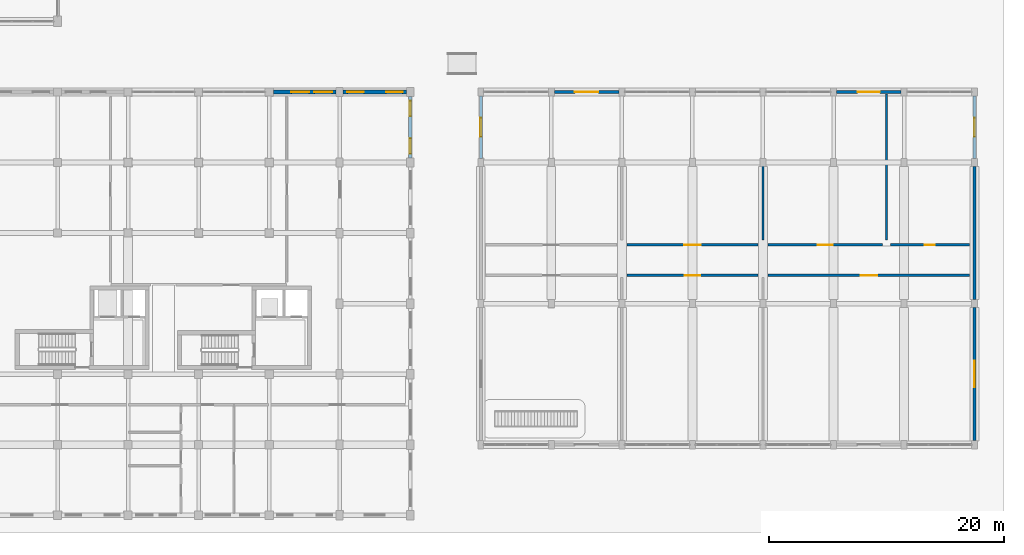
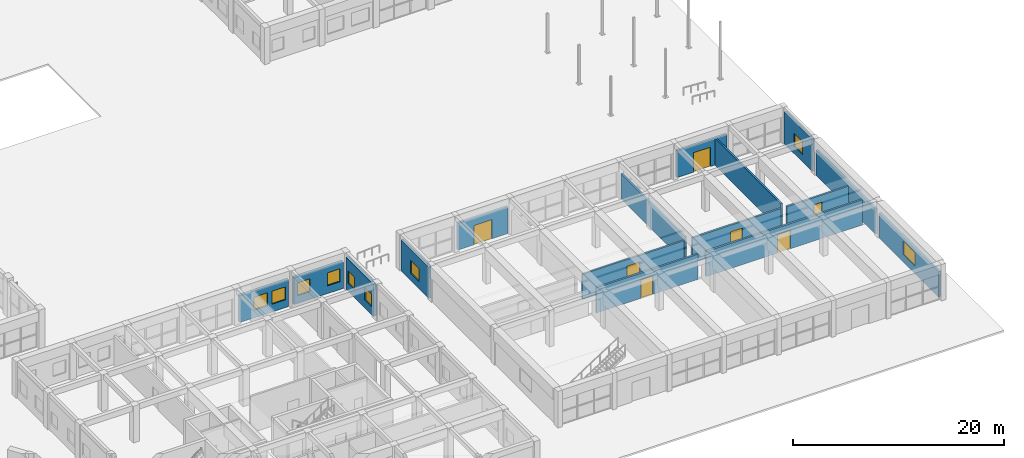
# One storey, part 60 of 76: 16 walls, 9 windows, 7 doors, 16 openings.
"""IFC4 building model written with IfcOpenShell, lengths in metres."""

from ifc_helpers import new_model, si_unit, direction, frame, frame_2d, origin, place, context, subcontext, project, spatial, rectangle, extrude, material, layer, layer_set, type_object, element, fill, save


model = new_model("IFC4")

# Units and contexts
model_context = context("Model", 3, precision=1e-05, world=origin(), true_north=direction((0.0, 1.0)))
body_context = subcontext(model_context, "Body", "Model", "MODEL_VIEW")
ifc_project = project(units=[si_unit("LENGTHUNIT", "METRE"), si_unit("AREAUNIT", "SQUARE_METRE"), si_unit("VOLUMEUNIT", "CUBIC_METRE"), si_unit("PLANEANGLEUNIT", "RADIAN"), si_unit("MASSUNIT", "GRAM", prefix="KILO"), si_unit("POWERUNIT", "WATT"), si_unit("THERMODYNAMICTEMPERATUREUNIT", "KELVIN")], contexts=[model_context])

# Site, building, storey
site_placement = place(None, origin())
site = spatial("IfcSite", under=ifc_project, at=site_placement, CompositionType="ELEMENT")
building_placement = place(site_placement, origin())
building = spatial("IfcBuilding", under=site, at=building_placement, Name="Ruvembo Vaulted Housing Court", CompositionType="ELEMENT")
storey_placement = place(building_placement, origin())
storey = spatial("IfcBuildingStorey", under=building, at=storey_placement, Name="L00", CompositionType="ELEMENT", Elevation=0.0)

# Wall, opening, door
ifc_material_1 = material(Name="Concrete Blockwork 200", Category="masonry")
ifc_layer_1 = layer(ifc_material_1, 0.199951171875, Name="Concrete Blockwork 200")
ifc_layer_set_1 = layer_set([ifc_layer_1], Name="Concrete Blockwork 200")
wall_type_1 = type_object("IfcWallType", Name="WL-CORR-200", PredefinedType="SOLIDWALL", material=ifc_layer_set_1)
wall_1_placement = place(storey_placement, frame((156.43994140625, 20.39990234375, 0.0), z_axis=(0.0, 0.0, 1.0), x_axis=(1.0, 0.0, 0.0)))
wall_1 = element("IfcWall", 1, at=wall_1_placement, inside=storey, type_object=wall_type_1, Name="L00 Neighbourhood Pharmacy & Repair WL-INT-L00-00079", PredefinedType="SOLIDWALL", context=body_context, shape_type="SweptSolid", body=[
    extrude(rectangle(XDim=11.1201171875, YDim=0.199951171875, at=frame_2d((5.56005859375, 0.0))), origin(), (0.0, 0.0, 1.0), 2.912109375),
])
opening_1_placement = place(wall_1_placement, frame((4.909912109375, 0.0, 0.0)))
opening_1 = element("IfcOpeningElement", 2, at=opening_1_placement, cuts=wall_1, Name="Opening CD2", PredefinedType="OPENING", context=body_context, shape_type="SweptSolid", body=[
    extrude(rectangle(XDim=1.300048828125, YDim=2.14990234375, at=frame_2d((0.64990234375, 1.074951171875))), frame((0.0, 0.10986328125, 0.0), z_axis=(0.0, -1.0, 0.0), x_axis=(1.0, 0.0, 0.0)), (0.0, 0.0, 1.0), 0.219970703125),
])
ifc_material_2 = material(Name="FSC Hardwood and Engineered Timber", Category="wood")
door_type_1 = type_object("IfcDoorType", Name="DR-CIVIC-1300x2150", OperationType="NOTDEFINED", PredefinedType="DOOR", material=ifc_material_2)
door_1_placement = place(opening_1_placement, origin())
door_1 = element("IfcDoor", 3, at=door_1_placement, inside=storey, type_object=door_type_1, Name="L00 Neighbourhood Pharmacy & Repair Door DR-INT-L00-00029", OperationType="SINGLE_SWING_LEFT", OverallHeight=2.14990234375, OverallWidth=1.300048828125, PredefinedType="DOOR", context=body_context, shape_type="SweptSolid", body=[
    extrude(rectangle(XDim=1.300048828125, YDim=2.14990234375, at=frame_2d((0.64990234375, 1.074951171875))), frame((0.0, 0.02490234375, 0.0), z_axis=(0.0, -1.0, 0.0), x_axis=(1.0, 0.0, 0.0)), (0.0, 0.0, 1.0), 0.050048828125),
])
fill(opening_1, door_1)

wall_2_placement = place(storey_placement, frame((168.43994140625, 20.39990234375, 0.0), z_axis=(0.0, 0.0, 1.0), x_axis=(1.0, 0.0, 0.0)))
wall_2 = element("IfcWall", 4, at=wall_2_placement, inside=storey, type_object=wall_type_1, Name="L00 Corner Cafe and Bakery Dining WL-INT-L00-00081", PredefinedType="SOLIDWALL", context=body_context, shape_type="SweptSolid", body=[
    extrude(rectangle(XDim=17.1201171875, YDim=0.199951171875, at=frame_2d((8.56005859375, 0.0))), origin(), (0.0, 0.0, 1.0), 2.912109375),
])
opening_2_placement = place(wall_2_placement, frame((7.860107421875, 0.0, 0.0)))
opening_2 = element("IfcOpeningElement", 5, at=opening_2_placement, cuts=wall_2, Name="Opening CD1", PredefinedType="OPENING", context=body_context, shape_type="SweptSolid", body=[
    extrude(rectangle(XDim=1.39990234375, YDim=2.14990234375, at=frame_2d((0.699951171875, 1.074951171875))), frame((0.0, 0.10986328125, 0.0), z_axis=(0.0, -1.0, 0.0), x_axis=(1.0, 0.0, 0.0)), (0.0, 0.0, 1.0), 0.219970703125),
])
door_type_2 = type_object("IfcDoorType", Name="DR-CIVIC-1400x2150", OperationType="NOTDEFINED", PredefinedType="DOOR", material=ifc_material_2)
door_2_placement = place(opening_2_placement, origin())
door_2 = element("IfcDoor", 6, at=door_2_placement, inside=storey, type_object=door_type_2, Name="L00 Corner Cafe and Bakery Dining Door DR-INT-L00-00030", OperationType="SINGLE_SWING_RIGHT", OverallHeight=2.14990234375, OverallWidth=1.39990234375, PredefinedType="DOOR", context=body_context, shape_type="SweptSolid", body=[
    extrude(rectangle(XDim=1.39990234375, YDim=2.14990234375, at=frame_2d((0.699951171875, 1.074951171875))), frame((0.0, 0.02490234375, 0.0), z_axis=(0.0, -1.0, 0.0), x_axis=(1.0, 0.0, 0.0)), (0.0, 0.0, 1.0), 0.050048828125),
])
fill(opening_2, door_2)

wall_3_placement = place(storey_placement, frame((156.43994140625, 23.0, 0.0), z_axis=(0.0, 0.0, 1.0), x_axis=(1.0, 0.0, 0.0)))
wall_3 = element("IfcWall", 7, at=wall_3_placement, inside=storey, type_object=wall_type_1, Name="L00 Cooperative Dry-Goods & Postal Hub WL-INT-L00-00084", PredefinedType="SOLIDWALL", context=body_context, shape_type="SweptSolid", body=[
    extrude(rectangle(XDim=11.1201171875, YDim=0.199951171875, at=frame_2d((5.56005859375, 0.0))), origin(), (0.0, 0.0, 1.0), 2.912109375),
])
opening_3_placement = place(wall_3_placement, frame((4.860107421875, 0.0, 0.0)))
opening_3 = element("IfcOpeningElement", 8, at=opening_3_placement, cuts=wall_3, Name="Opening CD1", PredefinedType="OPENING", context=body_context, shape_type="SweptSolid", body=[
    extrude(rectangle(XDim=1.39990234375, YDim=2.14990234375, at=frame_2d((0.699951171875, 1.074951171875))), frame((0.0, 0.10986328125, 0.0), z_axis=(0.0, -1.0, 0.0), x_axis=(1.0, 0.0, 0.0)), (0.0, 0.0, 1.0), 0.219970703125),
])
door_3_placement = place(opening_3_placement, origin())
door_3 = element("IfcDoor", 9, at=door_3_placement, inside=storey, type_object=door_type_2, Name="L00 Cooperative Dry-Goods & Postal Hub Door DR-INT-L00-00032", OperationType="SINGLE_SWING_RIGHT", OverallHeight=2.14990234375, OverallWidth=1.39990234375, PredefinedType="DOOR", context=body_context, shape_type="SweptSolid", body=[
    extrude(rectangle(XDim=1.39990234375, YDim=2.14990234375, at=frame_2d((0.699951171875, 1.074951171875))), frame((0.0, 0.02490234375, 0.0), z_axis=(0.0, -1.0, 0.0), x_axis=(1.0, 0.0, 0.0)), (0.0, 0.0, 1.0), 0.050048828125),
])
fill(opening_3, door_3)

# Wall
wall_4_placement = place(storey_placement, frame((168.0, 23.389892578125, 0.0), z_axis=(0.0, 0.0, 1.0), x_axis=(0.0, 1.0, 0.0)))
element("IfcWall", 10, at=wall_4_placement, inside=storey, type_object=wall_type_1, Name="L00 Cooperative Dry-Goods & Postal Hub Div WL-INT-L00-00085", PredefinedType="SOLIDWALL", context=body_context, shape_type="SweptSolid", body=[
    extrude(rectangle(XDim=12.10009765625, YDim=0.199951171875, at=frame_2d((6.050048828125, 0.0))), origin(), (0.0, 0.0, 1.0), 2.912109375),
])

# Wall, opening, door
wall_5_placement = place(storey_placement, frame((168.43994140625, 23.0, 0.0), z_axis=(0.0, 0.0, 1.0), x_axis=(1.0, 0.0, 0.0)))
wall_5 = element("IfcWall", 11, at=wall_5_placement, inside=storey, type_object=wall_type_1, Name="L00 Bakery Kitchen & Oven Room WL-INT-L00-00086", PredefinedType="SOLIDWALL", context=body_context, shape_type="SweptSolid", body=[
    extrude(rectangle(XDim=9.719970703125, YDim=0.199951171875, at=frame_2d((4.85986328125, 0.0))), origin(), (0.0, 0.0, 1.0), 2.912109375),
])
opening_4_placement = place(wall_5_placement, frame((4.2099609375, 0.0, 0.0)))
opening_4 = element("IfcOpeningElement", 12, at=opening_4_placement, cuts=wall_5, Name="Opening CD2", PredefinedType="OPENING", context=body_context, shape_type="SweptSolid", body=[
    extrude(rectangle(XDim=1.300048828125, YDim=2.14990234375, at=frame_2d((0.64990234375, 1.074951171875))), frame((0.0, 0.10986328125, 0.0), z_axis=(0.0, -1.0, 0.0), x_axis=(1.0, 0.0, 0.0)), (0.0, 0.0, 1.0), 0.219970703125),
])
door_4_placement = place(opening_4_placement, origin())
door_4 = element("IfcDoor", 13, at=door_4_placement, inside=storey, type_object=door_type_1, Name="L00 Bakery Kitchen & Oven Room Door DR-INT-L00-00033", OperationType="SINGLE_SWING_LEFT", OverallHeight=2.14990234375, OverallWidth=1.300048828125, PredefinedType="DOOR", context=body_context, shape_type="SweptSolid", body=[
    extrude(rectangle(XDim=1.300048828125, YDim=2.14990234375, at=frame_2d((0.64990234375, 1.074951171875))), frame((0.0, 0.02490234375, 0.0), z_axis=(0.0, -1.0, 0.0), x_axis=(1.0, 0.0, 0.0)), (0.0, 0.0, 1.0), 0.050048828125),
])
fill(opening_4, door_4)

# Wall
wall_6_placement = place(storey_placement, frame((178.5, 23.389892578125, 0.0), z_axis=(0.0, 0.0, 1.0), x_axis=(0.0, 1.0, 0.0)))
element("IfcWall", 14, at=wall_6_placement, inside=storey, type_object=wall_type_1, Name="L00 Bakery Kitchen & Oven Room Div WL-INT-L00-00087", PredefinedType="SOLIDWALL", context=body_context, shape_type="SweptSolid", body=[
    extrude(rectangle(XDim=12.420166015625, YDim=0.199951171875, at=frame_2d((6.2099609375, 0.0))), origin(), (0.0, 0.0, 1.0), 3.112060546875),
])

# Wall, opening, door
wall_7_placement = place(storey_placement, frame((178.840087890625, 23.0, 0.0), z_axis=(0.0, 0.0, 1.0), x_axis=(1.0, 0.0, 0.0)))
wall_7 = element("IfcWall", 15, at=wall_7_placement, inside=storey, type_object=wall_type_1, Name="L00 Cafe Accessible WC & Toilets WL-INT-L00-00088", PredefinedType="SOLIDWALL", context=body_context, shape_type="SweptSolid", body=[
    extrude(rectangle(XDim=6.719970703125, YDim=0.199951171875, at=frame_2d((3.35986328125, 0.0))), origin(), (0.0, 0.0, 1.0), 2.912109375),
])
opening_5_placement = place(wall_7_placement, frame((2.93505859375, 0.0, 0.0)))
opening_5 = element("IfcOpeningElement", 16, at=opening_5_placement, cuts=wall_7, Name="Opening ID2", PredefinedType="OPENING", context=body_context, shape_type="SweptSolid", body=[
    extrude(rectangle(XDim=0.85009765625, YDim=2.10009765625, at=frame_2d((0.425048828125, 1.050048828125))), frame((0.0, 0.10986328125, 0.0), z_axis=(0.0, -1.0, 0.0), x_axis=(1.0, 0.0, 0.0)), (0.0, 0.0, 1.0), 0.219970703125),
])
door_type_3 = type_object("IfcDoorType", Name="DR-WET-0850x2100", OperationType="NOTDEFINED", PredefinedType="DOOR", material=ifc_material_2)
door_5_placement = place(opening_5_placement, origin())
door_5 = element("IfcDoor", 17, at=door_5_placement, inside=storey, type_object=door_type_3, Name="L00 Cafe Accessible WC & Toilets Door DR-INT-L00-00034", OperationType="SINGLE_SWING_RIGHT", OverallHeight=2.10009765625, OverallWidth=0.85009765625, PredefinedType="DOOR", context=body_context, shape_type="SweptSolid", body=[
    extrude(rectangle(XDim=0.85009765625, YDim=2.10009765625, at=frame_2d((0.425048828125, 1.050048828125))), frame((0.0, 0.02490234375, 0.0), z_axis=(0.0, -1.0, 0.0), x_axis=(1.0, 0.0, 0.0)), (0.0, 0.0, 1.0), 0.050048828125),
])
fill(opening_5, door_5)

ifc_material_3 = material(Name="Rendered Masonry 260", Category="masonry")
ifc_layer_2 = layer(ifc_material_3, 0.260009765625, Name="Rendered Masonry 260")
ifc_layer_set_2 = layer_set([ifc_layer_2], Name="Rendered Masonry 260")
wall_type_2 = type_object("IfcWallType", Name="WL-EXT-260", PredefinedType="STANDARD", material=ifc_layer_set_2)
wall_8_placement = place(storey_placement, frame((155.75, 36.0, 0.0), z_axis=(0.0, 0.0, 1.0), x_axis=(-1.0, 0.0, 0.0)))
wall_8 = element("IfcWall", 18, at=wall_8_placement, inside=storey, type_object=wall_type_2, Name="Shops Entrance Bay N2", PredefinedType="STANDARD", context=body_context, shape_type="SweptSolid", body=[
    extrude(rectangle(XDim=5.5, YDim=0.260009765625, at=frame_2d((2.75, 0.0))), origin(), (0.0, 0.0, 1.0), 3.112060546875),
])
opening_6_placement = place(wall_8_placement, frame((1.75, 0.0, 0.0)))
opening_6 = element("IfcOpeningElement", 19, at=opening_6_placement, cuts=wall_8, Name="Opening ED1", PredefinedType="OPENING", context=body_context, shape_type="SweptSolid", body=[
    extrude(rectangle(XDim=2.0, YDim=2.25, at=frame_2d((1.0, 1.125))), frame((0.0, 0.139892578125, 0.0), z_axis=(0.0, -1.0, 0.0), x_axis=(1.0, 0.0, 0.0)), (0.0, 0.0, 1.0), 0.280029296875),
])
ifc_material_4 = material(Name="Thermally Broken Glazed Aluminium", Category="aluminium")
door_type_4 = type_object("IfcDoorType", Name="DR-LOB-2000x2250", OperationType="NOTDEFINED", PredefinedType="DOOR", material=ifc_material_4)
door_6_placement = place(opening_6_placement, frame((2.0, 0.0, 0.0), z_axis=(0.0, 0.0, 1.0), x_axis=(-1.0, 0.0, 0.0)))
door_6 = element("IfcDoor", 20, at=door_6_placement, inside=storey, type_object=door_type_4, Name="Shops Street Entrance N2", OperationType="DOUBLE_DOOR_SINGLE_SWING", OverallHeight=2.25, OverallWidth=2.0, PredefinedType="DOOR", context=body_context, shape_type="SweptSolid", body=[
    extrude(rectangle(XDim=2.0, YDim=2.25, at=frame_2d((1.0, 1.125))), frame((0.0, 0.02490234375, 0.0), z_axis=(0.0, -1.0, 0.0), x_axis=(1.0, 0.0, 0.0)), (0.0, 0.0, 1.0), 0.050048828125),
])
fill(opening_6, door_6)

wall_9_placement = place(storey_placement, frame((179.75, 36.0, 0.0), z_axis=(0.0, 0.0, 1.0), x_axis=(-1.0, 0.0, 0.0)))
wall_9 = element("IfcWall", 21, at=wall_9_placement, inside=storey, type_object=wall_type_2, Name="Shops Entrance Bay N6", PredefinedType="STANDARD", context=body_context, shape_type="SweptSolid", body=[
    extrude(rectangle(XDim=5.5, YDim=0.260009765625, at=frame_2d((2.75, 0.0))), origin(), (0.0, 0.0, 1.0), 3.112060546875),
])
opening_7_placement = place(wall_9_placement, frame((1.800048828125, 0.0, 0.0)))
opening_7 = element("IfcOpeningElement", 22, at=opening_7_placement, cuts=wall_9, Name="Opening ED2", PredefinedType="OPENING", context=body_context, shape_type="SweptSolid", body=[
    extrude(rectangle(XDim=1.89990234375, YDim=2.25, at=frame_2d((0.949951171875, 1.125))), frame((0.0, 0.139892578125, 0.0), z_axis=(0.0, -1.0, 0.0), x_axis=(1.0, 0.0, 0.0)), (0.0, 0.0, 1.0), 0.280029296875),
])
door_type_5 = type_object("IfcDoorType", Name="DR-LOB-1900x2250", OperationType="NOTDEFINED", PredefinedType="DOOR", material=ifc_material_4)
door_7_placement = place(opening_7_placement, frame((1.89990234375, 0.0, 0.0), z_axis=(0.0, 0.0, 1.0), x_axis=(-1.0, 0.0, 0.0)))
door_7 = element("IfcDoor", 23, at=door_7_placement, inside=storey, type_object=door_type_5, Name="Shops Street Entrance N6", OperationType="DOUBLE_DOOR_SINGLE_SWING", OverallHeight=2.25, OverallWidth=1.89990234375, PredefinedType="DOOR", context=body_context, shape_type="SweptSolid", body=[
    extrude(rectangle(XDim=1.89990234375, YDim=2.25, at=frame_2d((0.949951171875, 1.125))), frame((0.0, 0.02490234375, 0.0), z_axis=(0.0, -1.0, 0.0), x_axis=(1.0, 0.0, 0.0)), (0.0, 0.0, 1.0), 0.050048828125),
])
fill(opening_7, door_7)

# Wall, opening, window
wall_10_placement = place(storey_placement, frame((186.0, 6.35009765625, 0.0), z_axis=(0.0, 0.0, 1.0), x_axis=(0.0, 1.0, 0.0)))
wall_10 = element("IfcWall", 24, at=wall_10_placement, inside=storey, type_object=wall_type_2, Name="Shops E Facade Wall L00 Bay 1", PredefinedType="STANDARD", context=body_context, shape_type="SweptSolid", body=[
    extrude(rectangle(XDim=11.2998046875, YDim=0.260009765625, at=frame_2d((5.64990234375, 0.0))), origin(), (0.0, 0.0, 1.0), 2.912109375),
])
opening_8_placement = place(wall_10_placement, frame((4.52490234375, 0.0, 0.85009765625)))
opening_8 = element("IfcOpeningElement", 25, at=opening_8_placement, cuts=wall_10, Name="Opening W27", PredefinedType="OPENING", context=body_context, shape_type="SweptSolid", body=[
    extrude(rectangle(XDim=2.25, YDim=1.60009765625, at=frame_2d((1.125, 0.800048828125))), frame((0.0, 0.139892578125, 0.0), z_axis=(0.0, -1.0, 0.0), x_axis=(1.0, 0.0, 0.0)), (0.0, 0.0, 1.0), 0.280029296875),
])
ifc_material_5 = material(Name="Double Solar-Control Glazing in Aluminium Frame", Category="aluminium")
window_type_1 = type_object("IfcWindowType", Name="WIN-2250x1600", PartitioningType="SINGLE_PANEL", PredefinedType="WINDOW", material=ifc_material_5)
window_1_placement = place(opening_8_placement, origin())
window_1 = element("IfcWindow", 26, at=window_1_placement, inside=storey, type_object=window_type_1, Name="Shops E Window L00 #1", OverallHeight=1.60009765625, OverallWidth=2.25, PartitioningType="SINGLE_PANEL", PredefinedType="WINDOW", context=body_context, shape_type="SweptSolid", body=[
    extrude(rectangle(XDim=2.25, YDim=1.60009765625, at=frame_2d((1.125, 0.800048828125))), frame((0.0, 0.030029296875, 0.0), z_axis=(0.0, -1.0, 0.0), x_axis=(1.0, 0.0, 0.0)), (0.0, 0.0, 1.0), 0.06005859375),
])
fill(opening_8, window_1)

# Wall
wall_11_placement = place(storey_placement, frame((186.0, 18.35009765625, 0.0), z_axis=(0.0, 0.0, 1.0), x_axis=(0.0, 1.0, 0.0)))
element("IfcWall", 27, at=wall_11_placement, inside=storey, type_object=wall_type_2, Name="Shops E Facade Wall L00 Bay 2", PredefinedType="STANDARD", context=body_context, shape_type="SweptSolid", body=[
    extrude(rectangle(XDim=11.2998046875, YDim=0.260009765625, at=frame_2d((5.64990234375, 0.0))), origin(), (0.0, 0.0, 1.0), 2.912109375),
])

# Wall, opening, window
wall_12_placement = place(storey_placement, frame((144.0, 35.64990234375, 0.0), z_axis=(0.0, 0.0, 1.0), x_axis=(0.0, -1.0, 0.0)))
wall_12 = element("IfcWall", 28, at=wall_12_placement, inside=storey, type_object=wall_type_2, Name="Shops W Facade Wall L00 Bay 3", PredefinedType="STANDARD", context=body_context, shape_type="SweptSolid", body=[
    extrude(rectangle(XDim=5.2998046875, YDim=0.260009765625, at=frame_2d((2.64990234375, 0.0))), origin(), (0.0, 0.0, 1.0), 3.612060546875),
])
opening_9_placement = place(wall_12_placement, frame((1.85009765625, 0.0, 0.85009765625)))
opening_9 = element("IfcOpeningElement", 29, at=opening_9_placement, cuts=wall_12, Name="Opening W20", PredefinedType="OPENING", context=body_context, shape_type="SweptSolid", body=[
    extrude(rectangle(XDim=1.60009765625, YDim=1.5, at=frame_2d((0.800048828125, 0.75))), frame((0.0, 0.139892578125, 0.0), z_axis=(0.0, -1.0, 0.0), x_axis=(1.0, 0.0, 0.0)), (0.0, 0.0, 1.0), 0.280029296875),
])
window_type_2 = type_object("IfcWindowType", Name="WIN-1600x1500", PartitioningType="SINGLE_PANEL", PredefinedType="WINDOW", material=ifc_material_5)
window_2_placement = place(opening_9_placement, origin())
window_2 = element("IfcWindow", 30, at=window_2_placement, inside=storey, type_object=window_type_2, Name="Shops W Window L00 #3", OverallHeight=1.5, OverallWidth=1.60009765625, PartitioningType="SINGLE_PANEL", PredefinedType="WINDOW", context=body_context, shape_type="SweptSolid", body=[
    extrude(rectangle(XDim=1.60009765625, YDim=1.5, at=frame_2d((0.800048828125, 0.75))), frame((0.0, 0.030029296875, 0.0), z_axis=(0.0, -1.0, 0.0), x_axis=(1.0, 0.0, 0.0)), (0.0, 0.0, 1.0), 0.06005859375),
])
fill(opening_9, window_2)

wall_13_placement = place(storey_placement, frame((186.0, 30.35009765625, 0.0), z_axis=(0.0, 0.0, 1.0), x_axis=(0.0, 1.0, 0.0)))
wall_13 = element("IfcWall", 31, at=wall_13_placement, inside=storey, type_object=wall_type_2, Name="Shops E Facade Wall L00 Bay 3", PredefinedType="STANDARD", context=body_context, shape_type="SweptSolid", body=[
    extrude(rectangle(XDim=5.2998046875, YDim=0.260009765625, at=frame_2d((2.64990234375, 0.0))), origin(), (0.0, 0.0, 1.0), 3.7119140625),
])
opening_10_placement = place(wall_13_placement, frame((1.85009765625, 0.0, 0.85009765625)))
opening_10 = element("IfcOpeningElement", 32, at=opening_10_placement, cuts=wall_13, Name="Opening W20", PredefinedType="OPENING", context=body_context, shape_type="SweptSolid", body=[
    extrude(rectangle(XDim=1.60009765625, YDim=1.5, at=frame_2d((0.800048828125, 0.75))), frame((0.0, 0.139892578125, 0.0), z_axis=(0.0, -1.0, 0.0), x_axis=(1.0, 0.0, 0.0)), (0.0, 0.0, 1.0), 0.280029296875),
])
window_3_placement = place(opening_10_placement, origin())
window_3 = element("IfcWindow", 33, at=window_3_placement, inside=storey, type_object=window_type_2, Name="Shops E Window L00 #3", OverallHeight=1.5, OverallWidth=1.60009765625, PartitioningType="SINGLE_PANEL", PredefinedType="WINDOW", context=body_context, shape_type="SweptSolid", body=[
    extrude(rectangle(XDim=1.60009765625, YDim=1.5, at=frame_2d((0.800048828125, 0.75))), frame((0.0, 0.030029296875, 0.0), z_axis=(0.0, -1.0, 0.0), x_axis=(1.0, 0.0, 0.0)), (0.0, 0.0, 1.0), 0.06005859375),
])
fill(opening_10, window_3)

# Wall, openings, windows
ifc_material_6 = material(Name="Rendered Masonry 320", Category="masonry")
ifc_layer_3 = layer(ifc_material_6, 0.320068359375, Name="Rendered Masonry 320")
ifc_layer_set_3 = layer_set([ifc_layer_3], Name="Rendered Masonry 320")
wall_type_3 = type_object("IfcWallType", Name="WL-EXT-320", PredefinedType="STANDARD", material=ifc_layer_set_3)
wall_14_placement = place(storey_placement, frame((138.0, 30.39990234375, 0.0), z_axis=(0.0, 0.0, 1.0), x_axis=(0.0, 1.0, 0.0)))
wall_14 = element("IfcWall", 34, at=wall_14_placement, inside=storey, type_object=wall_type_3, Name="Block C L00 Exterior Wall EAST #6", PredefinedType="STANDARD", context=body_context, shape_type="SweptSolid", body=[
    extrude(rectangle(XDim=5.2001953125, YDim=0.320068359375, at=frame_2d((2.60009765625, 0.0))), origin(), (0.0, 0.0, 1.0), 3.7119140625),
])
opening_11_placement = place(wall_14_placement, frame((0.35009765625, 0.0, 0.89990234375)))
opening_11 = element("IfcOpeningElement", 35, at=opening_11_placement, cuts=wall_14, Name="Opening W15", PredefinedType="OPENING", context=body_context, shape_type="SweptSolid", body=[
    extrude(rectangle(XDim=1.300048828125, YDim=1.449951171875, at=frame_2d((0.64990234375, 0.72509765625))), frame((0.0, 0.169921875, 0.0), z_axis=(0.0, -1.0, 0.0), x_axis=(1.0, 0.0, 0.0)), (0.0, 0.0, 1.0), 0.340087890625),
])
opening_12_placement = place(wall_14_placement, frame((3.550048828125, 0.0, 0.89990234375)))
opening_12 = element("IfcOpeningElement", 36, at=opening_12_placement, cuts=wall_14, Name="Opening W15", PredefinedType="OPENING", context=body_context, shape_type="SweptSolid", body=[
    extrude(rectangle(XDim=1.300048828125, YDim=1.449951171875, at=frame_2d((0.64990234375, 0.72509765625))), frame((0.0, 0.169921875, 0.0), z_axis=(0.0, -1.0, 0.0), x_axis=(1.0, 0.0, 0.0)), (0.0, 0.0, 1.0), 0.340087890625),
])
window_type_3 = type_object("IfcWindowType", Name="WIN-1300x1450", PartitioningType="SINGLE_PANEL", PredefinedType="WINDOW", material=ifc_material_5)
window_4_placement = place(opening_11_placement, origin())
window_4 = element("IfcWindow", 37, at=window_4_placement, inside=storey, type_object=window_type_3, Name="Block C L00 Window #1087", OverallHeight=1.449951171875, OverallWidth=1.300048828125, PartitioningType="SINGLE_PANEL", PredefinedType="WINDOW", context=body_context, shape_type="SweptSolid", body=[
    extrude(rectangle(XDim=1.300048828125, YDim=1.449951171875, at=frame_2d((0.64990234375, 0.72509765625))), frame((0.0, 0.030029296875, 0.0), z_axis=(0.0, -1.0, 0.0), x_axis=(1.0, 0.0, 0.0)), (0.0, 0.0, 1.0), 0.06005859375),
])
fill(opening_11, window_4)
window_5_placement = place(opening_12_placement, origin())
window_5 = element("IfcWindow", 38, at=window_5_placement, inside=storey, type_object=window_type_3, Name="Block C L00 Window #1088", OverallHeight=1.449951171875, OverallWidth=1.300048828125, PartitioningType="SINGLE_PANEL", PredefinedType="WINDOW", context=body_context, shape_type="SweptSolid", body=[
    extrude(rectangle(XDim=1.300048828125, YDim=1.449951171875, at=frame_2d((0.64990234375, 0.72509765625))), frame((0.0, 0.030029296875, 0.0), z_axis=(0.0, -1.0, 0.0), x_axis=(1.0, 0.0, 0.0)), (0.0, 0.0, 1.0), 0.06005859375),
])
fill(opening_12, window_5)

wall_15_placement = place(storey_placement, frame((137.699951171875, 36.0, 0.0), z_axis=(0.0, 0.0, 1.0), x_axis=(-1.0, 0.0, 0.0)))
wall_15 = element("IfcWall", 39, at=wall_15_placement, inside=storey, type_object=wall_type_3, Name="Block C L00 Exterior Wall COURTYARD #1", PredefinedType="STANDARD", context=body_context, shape_type="SweptSolid", body=[
    extrude(rectangle(XDim=5.39990234375, YDim=0.320068359375, at=frame_2d((2.699951171875, 0.0))), origin(), (0.0, 0.0, 1.0), 3.112060546875),
])
opening_13_placement = place(wall_15_placement, frame((0.35009765625, 0.0, 0.89990234375)))
opening_13 = element("IfcOpeningElement", 40, at=opening_13_placement, cuts=wall_15, Name="Opening W17", PredefinedType="OPENING", context=body_context, shape_type="SweptSolid", body=[
    extrude(rectangle(XDim=1.39990234375, YDim=1.5, at=frame_2d((0.699951171875, 0.75))), frame((0.0, 0.169921875, 0.0), z_axis=(0.0, -1.0, 0.0), x_axis=(1.0, 0.0, 0.0)), (0.0, 0.0, 1.0), 0.340087890625),
])
opening_14_placement = place(wall_15_placement, frame((3.64990234375, 0.0, 0.89990234375)))
opening_14 = element("IfcOpeningElement", 41, at=opening_14_placement, cuts=wall_15, Name="Opening W17", PredefinedType="OPENING", context=body_context, shape_type="SweptSolid", body=[
    extrude(rectangle(XDim=1.39990234375, YDim=1.5, at=frame_2d((0.699951171875, 0.75))), frame((0.0, 0.169921875, 0.0), z_axis=(0.0, -1.0, 0.0), x_axis=(1.0, 0.0, 0.0)), (0.0, 0.0, 1.0), 0.340087890625),
])
window_type_4 = type_object("IfcWindowType", Name="WIN-1400x1500", PartitioningType="SINGLE_PANEL", PredefinedType="WINDOW", material=ifc_material_5)
window_6_placement = place(opening_13_placement, origin())
window_6 = element("IfcWindow", 42, at=window_6_placement, inside=storey, type_object=window_type_4, Name="Block C L00 Window #1089", OverallHeight=1.5, OverallWidth=1.39990234375, PartitioningType="SINGLE_PANEL", PredefinedType="WINDOW", context=body_context, shape_type="SweptSolid", body=[
    extrude(rectangle(XDim=1.39990234375, YDim=1.5, at=frame_2d((0.699951171875, 0.75))), frame((0.0, 0.030029296875, 0.0), z_axis=(0.0, -1.0, 0.0), x_axis=(1.0, 0.0, 0.0)), (0.0, 0.0, 1.0), 0.06005859375),
])
fill(opening_13, window_6)
window_7_placement = place(opening_14_placement, origin())
window_7 = element("IfcWindow", 43, at=window_7_placement, inside=storey, type_object=window_type_4, Name="Block C L00 Window #1090", OverallHeight=1.5, OverallWidth=1.39990234375, PartitioningType="SINGLE_PANEL", PredefinedType="WINDOW", context=body_context, shape_type="SweptSolid", body=[
    extrude(rectangle(XDim=1.39990234375, YDim=1.5, at=frame_2d((0.699951171875, 0.75))), frame((0.0, 0.030029296875, 0.0), z_axis=(0.0, -1.0, 0.0), x_axis=(1.0, 0.0, 0.0)), (0.0, 0.0, 1.0), 0.06005859375),
])
fill(opening_14, window_7)

wall_16_placement = place(storey_placement, frame((131.699951171875, 36.0, 0.0), z_axis=(0.0, 0.0, 1.0), x_axis=(-1.0, 0.0, 0.0)))
wall_16 = element("IfcWall", 44, at=wall_16_placement, inside=storey, type_object=wall_type_3, Name="Block C L00 Exterior Wall COURTYARD #2", PredefinedType="STANDARD", context=body_context, shape_type="SweptSolid", body=[
    extrude(rectangle(XDim=5.349853515625, YDim=0.320068359375, at=frame_2d((2.6748046875, 0.0))), origin(), (0.0, 0.0, 1.0), 3.112060546875),
])
opening_15_placement = place(wall_16_placement, frame((0.35009765625, 0.0, 0.89990234375)))
opening_15 = element("IfcOpeningElement", 45, at=opening_15_placement, cuts=wall_16, Name="Opening W19", PredefinedType="OPENING", context=body_context, shape_type="SweptSolid", body=[
    extrude(rectangle(XDim=1.5, YDim=1.5, at=frame_2d((0.75, 0.75))), frame((0.0, 0.169921875, 0.0), z_axis=(0.0, -1.0, 0.0), x_axis=(1.0, 0.0, 0.0)), (0.0, 0.0, 1.0), 0.340087890625),
])
opening_16_placement = place(wall_16_placement, frame((2.31005859375, 0.0, 0.89990234375)))
opening_16 = element("IfcOpeningElement", 46, at=opening_16_placement, cuts=wall_16, Name="Opening W19", PredefinedType="OPENING", context=body_context, shape_type="SweptSolid", body=[
    extrude(rectangle(XDim=1.5, YDim=1.5, at=frame_2d((0.75, 0.75))), frame((0.0, 0.169921875, 0.0), z_axis=(0.0, -1.0, 0.0), x_axis=(1.0, 0.0, 0.0)), (0.0, 0.0, 1.0), 0.340087890625),
])
window_type_5 = type_object("IfcWindowType", Name="WIN-1500x1500", PartitioningType="SINGLE_PANEL", PredefinedType="WINDOW", material=ifc_material_5)
window_8_placement = place(opening_15_placement, origin())
window_8 = element("IfcWindow", 47, at=window_8_placement, inside=storey, type_object=window_type_5, Name="Block C L00 Window #1091", OverallHeight=1.5, OverallWidth=1.5, PartitioningType="SINGLE_PANEL", PredefinedType="WINDOW", context=body_context, shape_type="SweptSolid", body=[
    extrude(rectangle(XDim=1.5, YDim=1.5, at=frame_2d((0.75, 0.75))), frame((0.0, 0.030029296875, 0.0), z_axis=(0.0, -1.0, 0.0), x_axis=(1.0, 0.0, 0.0)), (0.0, 0.0, 1.0), 0.06005859375),
])
fill(opening_15, window_8)
window_9_placement = place(opening_16_placement, origin())
window_9 = element("IfcWindow", 48, at=window_9_placement, inside=storey, type_object=window_type_5, Name="Block C L00 Window #1092", OverallHeight=1.5, OverallWidth=1.5, PartitioningType="SINGLE_PANEL", PredefinedType="WINDOW", context=body_context, shape_type="SweptSolid", body=[
    extrude(rectangle(XDim=1.5, YDim=1.5, at=frame_2d((0.75, 0.75))), frame((0.0, 0.030029296875, 0.0), z_axis=(0.0, -1.0, 0.0), x_axis=(1.0, 0.0, 0.0)), (0.0, 0.0, 1.0), 0.06005859375),
])
fill(opening_16, window_9)

save(model, "model.ifc")
